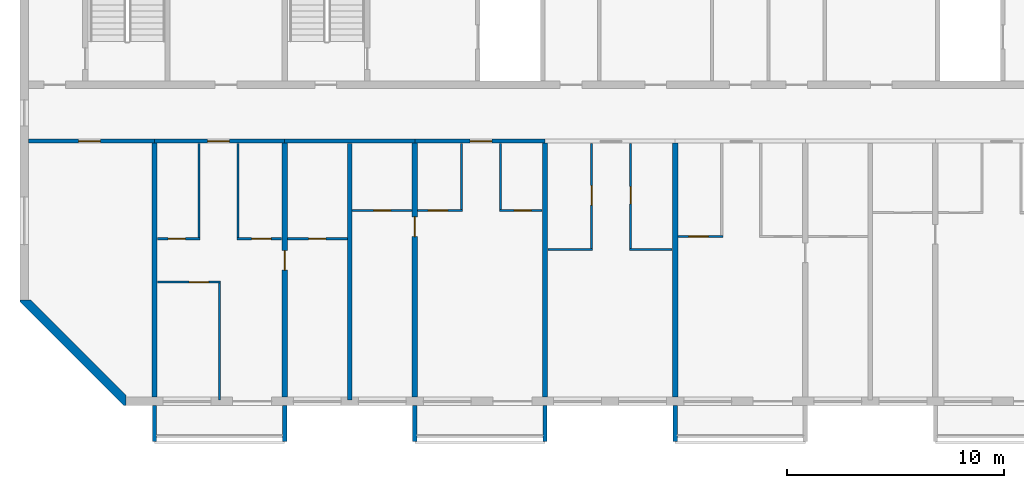
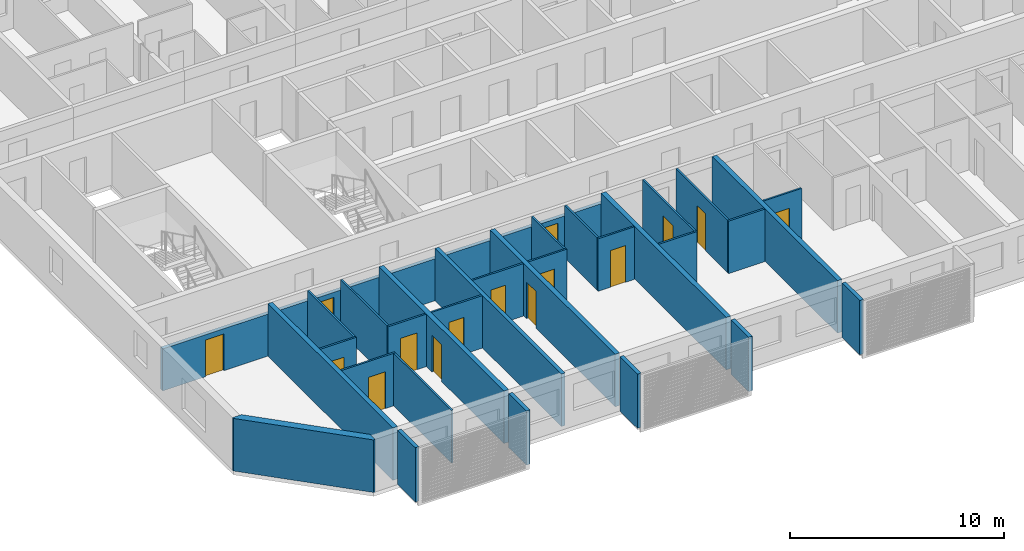
# One storey, part 4 of 20: 33 walls, 15 doors, 15 openings.
"""IFC4 building model written with IfcOpenShell, lengths in metres."""

import ifcopenshell
import ifcopenshell.guid

model = None  # the IFC model being written
_history = None  # IfcOwnerHistory: only IFC2X3 demands one
_inside = {}  # id of a spatial element -> (the spatial element, [elements in it])
_under = {}  # id of a project, library or spatial element -> (it, [spatial elements below it])
_declared = {}  # id of a project -> (the project, [libraries it declares])
_typed = {}  # id of a type object -> (the type object, [elements of that type])
_made_of = {}  # id of a material, layer set ... -> (it, [elements and type objects made of it])


def new_model(schema):
    """Start an empty IFC model of exactly this schema.

    Asked for "IFC4X3", IfcOpenShell would pick the latest addendum, in which some entities
    have other attributes; the version numbers below select the first issue.
    IFC2X3 requires an IfcOwnerHistory on every rooted entity: one is made here for all.
    """
    global model, _history
    if schema == "IFC4X3":
        model = ifcopenshell.file(schema_version=(4, 3, 0, 0))
    else:
        model = ifcopenshell.file(schema=schema)
    _inside.clear()
    _under.clear()
    _declared.clear()
    _typed.clear()
    _made_of.clear()
    _history = None
    if model.schema == "IFC2X3":
        org = make("IfcOrganization", Name="unknown")
        user = make(
            "IfcPersonAndOrganization",
            ThePerson=make("IfcPerson", FamilyName="unknown"),
            TheOrganization=org,
        )
        app = make(
            "IfcApplication",
            ApplicationDeveloper=org,
            Version="unknown",
            ApplicationFullName="unknown",
            ApplicationIdentifier="unknown",
        )
        _history = make(
            "IfcOwnerHistory",
            OwningUser=user,
            OwningApplication=app,
            ChangeAction="ADDED",
            CreationDate=0,
        )
    return model


def make(cls, **values):
    """One entity of the class cls with the attributes given. An attribute that is None is left unset."""
    return model.create_entity(
        cls, **{name: value for name, value in values.items() if value is not None}
    )


def rooted(cls, **values):
    """An entity with a GlobalId (a new one), such as an element, a storey or a relation."""
    return make(cls, GlobalId=ifcopenshell.guid.new(), OwnerHistory=_history, **values)


def si_unit(unit_type, name, prefix=None):
    """IfcSIUnit, for example si_unit("LENGTHUNIT", "METRE", prefix="MILLI")."""
    return make("IfcSIUnit", UnitType=unit_type, Prefix=prefix, Name=name)


def assignment(units):
    """IfcUnitAssignment: the units of a project."""
    return None if units is None else make("IfcUnitAssignment", Units=units)


def point(xyz):
    """IfcCartesianPoint."""
    return None if xyz is None else make("IfcCartesianPoint", Coordinates=xyz)


def direction(xyz):
    """IfcDirection."""
    return None if xyz is None else make("IfcDirection", DirectionRatios=xyz)


def frame(location, z_axis=None, x_axis=None):
    """IfcAxis2Placement3D, a coordinate frame: its origin and axes. An axis left out is left unset."""
    return make(
        "IfcAxis2Placement3D",
        Location=point(location),
        Axis=direction(z_axis),
        RefDirection=direction(x_axis),
    )


def frame_2d(location, x_axis=None):
    """IfcAxis2Placement2D, a coordinate frame in the plane: its origin and x axis."""
    return make(
        "IfcAxis2Placement2D", Location=point(location), RefDirection=direction(x_axis)
    )


def origin():
    """The frame at (0, 0, 0) with its axes left unset."""
    return frame((0.0, 0.0, 0.0))


def place(relative_to, where):
    """IfcLocalPlacement: puts the frame where relative to a parent placement (None: the world)."""
    return make(
        "IfcLocalPlacement", PlacementRelTo=relative_to, RelativePlacement=where
    )


def context(
    kind, dimensions, precision=None, world=None, true_north=None, identifier=None
):
    """IfcGeometricRepresentationContext, for example the 3D "Model" context."""
    return make(
        "IfcGeometricRepresentationContext",
        ContextIdentifier=identifier,
        ContextType=kind,
        CoordinateSpaceDimension=dimensions,
        Precision=precision,
        WorldCoordinateSystem=world,
        TrueNorth=true_north,
    )


def subcontext(parent, identifier, kind, view, scale=None):
    """IfcGeometricRepresentationSubContext, for example "Body" below "Model"."""
    return make(
        "IfcGeometricRepresentationSubContext",
        ContextIdentifier=identifier,
        ContextType=kind,
        ParentContext=parent,
        TargetScale=scale,
        TargetView=view,
    )


def project(units=None, contexts=None):
    """IfcProject with its units and contexts."""
    return rooted(
        "IfcProject",
        Name="project",
        RepresentationContexts=contexts,
        UnitsInContext=assignment(units),
    )


def spatial(cls, under=None, at=None, **own):
    """A site, building, storey or space (cls), placed at a placement, below another one or the project."""
    s = rooted(cls, ObjectPlacement=at, **own)
    if under is not None:
        _under.setdefault(under.id(), (under, []))[1].append(s)
    return s


def polyline(points):
    """IfcPolyline through the points."""
    return make("IfcPolyline", Points=[point(p) for p in points])


def profile(cls, at=None, kind="AREA", **sizes):
    """A parametric profile (cls). Its sizes go by their IFC names, for example OverallWidth=200.0."""
    return make(cls, ProfileType=kind, Position=at, **sizes)


def rectangle(**sizes):
    """IfcRectangleProfileDef."""
    return profile("IfcRectangleProfileDef", **sizes)


def outline(outer, holes=None, kind="AREA"):
    """IfcArbitraryClosedProfileDef: a profile drawn as a closed curve; with holes, ...WithVoids."""
    if holes is None:
        return make("IfcArbitraryClosedProfileDef", ProfileType=kind, OuterCurve=outer)
    return make(
        "IfcArbitraryProfileDefWithVoids",
        ProfileType=kind,
        OuterCurve=outer,
        InnerCurves=holes,
    )


def extrude(swept, where, along, depth):
    """IfcExtrudedAreaSolid: the profile swept, set in the frame where, extruded along a direction by depth."""
    return make(
        "IfcExtrudedAreaSolid",
        SweptArea=swept,
        Position=where,
        ExtrudedDirection=direction(along),
        Depth=depth,
    )


def shape(context_of_items, identifier, shape_type, items):
    """IfcShapeRepresentation: the items that make up one representation, for example the "Body"."""
    return make(
        "IfcShapeRepresentation",
        ContextOfItems=context_of_items,
        RepresentationIdentifier=identifier,
        RepresentationType=shape_type,
        Items=items,
    )


def source(mapping_origin, context_of_items, identifier, shape_type, items):
    """IfcRepresentationMap: a shape defined once, which mapped items show again and again."""
    return make(
        "IfcRepresentationMap",
        MappingOrigin=mapping_origin,
        MappedRepresentation=shape(context_of_items, identifier, shape_type, items),
    )


def transform(
    local_origin,
    x_axis=None,
    y_axis=None,
    z_axis=None,
    scale=None,
    scale2=None,
    scale3=None,
    uniform=True,
):
    """IfcCartesianTransformationOperator3D, or its non-uniform kind. x_axis, y_axis, z_axis: its Axis1, 2, 3."""
    if uniform:
        return make(
            "IfcCartesianTransformationOperator3D",
            Axis1=direction(x_axis),
            Axis2=direction(y_axis),
            LocalOrigin=point(local_origin),
            Scale=scale,
            Axis3=direction(z_axis),
        )
    return make(
        "IfcCartesianTransformationOperator3DnonUniform",
        Axis1=direction(x_axis),
        Axis2=direction(y_axis),
        LocalOrigin=point(local_origin),
        Scale=scale,
        Axis3=direction(z_axis),
        Scale2=scale2,
        Scale3=scale3,
    )


def mapped(mapping_source, mapping_target):
    """IfcMappedItem: shows the shape of a source again, moved by a transform."""
    return make(
        "IfcMappedItem", MappingSource=mapping_source, MappingTarget=mapping_target
    )


def material(Name=None, Category=None):
    """IfcMaterial."""
    return make("IfcMaterial", Name=Name, Category=Category)


def layer(
    of_material, thickness, ventilated=None, Name=None, Category=None, Priority=None
):
    """IfcMaterialLayer: one layer of a wall or slab, of a material (None: an air gap)."""
    return make(
        "IfcMaterialLayer",
        Material=of_material,
        LayerThickness=thickness,
        IsVentilated=ventilated,
        Name=Name,
        Category=Category,
        Priority=Priority,
    )


def layer_set(layers, Name=None):
    """IfcMaterialLayerSet."""
    return make("IfcMaterialLayerSet", MaterialLayers=layers, LayerSetName=Name)


def made_of(thing, what):
    """Note that an element or type object is made of a material, layer set ...; save() writes the relation."""
    if what is not None:
        _made_of.setdefault(what.id(), (what, []))[1].append(thing)
    return thing


def type_object(cls, material=None, **own):
    """A type object (cls), such as IfcWallType, which elements share."""
    return made_of(rooted(cls, **own), material)


def element(
    cls,
    number,
    at=None,
    inside=None,
    cuts=None,
    type_object=None,
    material=None,
    context=None,
    identifier="Body",
    shape_type=None,
    held_by="IfcProductDefinitionShape",
    body=None,
    shapes=None,
    **own,
):
    """One element of the class cls, such as IfcWall. Its Tag is "e" and its number.

    at: its placement. inside: the storey or other place that contains it. cuts: it is an
    opening in that element (IfcRelVoidsElement). A single representation is given by context,
    identifier, shape_type and body (its items); several are given by shapes. held_by: the class
    of the entity that holds the representations. save() writes the other relations.
    """
    e = rooted(cls, Tag="e%d" % number, ObjectPlacement=at, **own)
    if body is not None:
        shapes = [shape(context, identifier, shape_type, body)]
    if shapes is not None:
        e.Representation = make(held_by, Representations=shapes)
    if inside is not None:
        _inside.setdefault(inside.id(), (inside, []))[1].append(e)
    if cuts is not None:
        rooted(
            "IfcRelVoidsElement", RelatingBuildingElement=cuts, RelatedOpeningElement=e
        )
    if type_object is not None:
        _typed.setdefault(type_object.id(), (type_object, []))[1].append(e)
    return made_of(e, material)


def fill(opening, filler):
    """IfcRelFillsElement: the door or window that sits in an opening."""
    return rooted(
        "IfcRelFillsElement",
        RelatingOpeningElement=opening,
        RelatedBuildingElement=filler,
    )


def aggregate(whole, parts):
    """IfcRelAggregates: a whole, such as a stair, and the parts it consists of."""
    return rooted("IfcRelAggregates", RelatingObject=whole, RelatedObjects=parts)


def save(model, path):
    """Write the relations noted so far, then the file.

    IfcRelAggregates (storeys below a building ...), IfcRelContainedInSpatialStructure (elements
    in a storey), IfcRelDefinesByType, IfcRelAssociatesMaterial and IfcRelDeclares: one each for
    every whole, place, type object, material and project.
    """
    for whole, parts in _under.values():
        aggregate(whole, parts)
    for where, things in _inside.values():
        rooted(
            "IfcRelContainedInSpatialStructure",
            RelatedElements=things,
            RelatingStructure=where,
        )
    for kind, things in _typed.values():
        rooted("IfcRelDefinesByType", RelatedObjects=things, RelatingType=kind)
    for what, things in _made_of.values():
        rooted("IfcRelAssociatesMaterial", RelatedObjects=things, RelatingMaterial=what)
    for by, libraries in _declared.values():
        rooted("IfcRelDeclares", RelatingContext=by, RelatedDefinitions=libraries)
    model.write(path)


model = new_model("IFC4")

# Units and contexts
model_context = context("Model", 3, precision=1e-05, world=origin(), true_north=direction((0.0, 1.0)))
body_context = subcontext(model_context, "Body", "Model", "MODEL_VIEW")
ifc_project = project(units=[si_unit("LENGTHUNIT", "METRE"), si_unit("AREAUNIT", "SQUARE_METRE"), si_unit("VOLUMEUNIT", "CUBIC_METRE"), si_unit("PLANEANGLEUNIT", "RADIAN"), si_unit("MASSUNIT", "GRAM", prefix="KILO")], contexts=[model_context])

# Site, building, storey
site_placement = place(None, origin())
site = spatial("IfcSite", under=ifc_project, at=site_placement, CompositionType="ELEMENT")
building_placement = place(site_placement, origin())
building = spatial("IfcBuilding", under=site, at=building_placement, Name="Poui Terraces", CompositionType="ELEMENT")
storey_placement = place(building_placement, frame((0.0, 0.0, 257.699951171875)))
storey = spatial("IfcBuildingStorey", under=building, at=storey_placement, Name="L72", CompositionType="ELEMENT", Elevation=257.699951171875)

# Wall, opening, door
ifc_material_1 = material(Name="Concrete 50 MPa", Category="concrete")
ifc_layer_1 = layer(ifc_material_1, 0.199951171875)
ifc_layer_set_1 = layer_set([ifc_layer_1], Name="Concrete 50 MPa")
wall_type_1 = type_object("IfcWallType", Name="CORRIDOR WALL 200 50MPa", PredefinedType="SHEAR", material=ifc_layer_set_1)
wall_1_placement = place(storey_placement, frame((18.199951171875, 12.0, 0.0), z_axis=(0.0, 0.0, 1.0), x_axis=(1.0, 0.0, 0.0)))
wall_1 = element("IfcWall", 1, at=wall_1_placement, inside=storey, type_object=wall_type_1, Name="CORRIDOR WALL LINE B BAY 1", PredefinedType="SHEAR", context=body_context, shape_type="SweptSolid", body=[
    extrude(rectangle(XDim=5.800048828125, YDim=0.199951171875, at=frame_2d((2.89990234375, 0.0))), origin(), (0.0, 0.0, 1.0), 2.400146484375),
])
opening_1_placement = place(wall_1_placement, frame((2.300048828125, 0.0, 0.0)))
opening_1 = element("IfcOpeningElement", 2, at=opening_1_placement, cuts=wall_1, Name="Opening D100", PredefinedType="OPENING", context=body_context, shape_type="SweptSolid", body=[
    extrude(rectangle(XDim=1.0, YDim=2.10009765625, at=frame_2d((0.5, 1.050048828125))), frame((0.0, 0.10986328125, 0.0), z_axis=(0.0, -1.0, 0.0), x_axis=(1.0, 0.0, 0.0)), (0.0, 0.0, 1.0), 0.219970703125),
])
ifc_material_2 = material(Name="Solid core timber door", Category="wood")
door_type_1 = type_object("IfcDoorType", Name="ACCESSIBLE INTERNAL DOOR 1000 X 2100", OperationType="NOTDEFINED", PredefinedType="DOOR", material=ifc_material_2)
door_1_placement = place(opening_1_placement, frame((1.0, 0.0, 0.0), z_axis=(0.0, 0.0, 1.0), x_axis=(-1.0, 0.0, 0.0)))
door_1 = element("IfcDoor", 3, at=door_1_placement, inside=storey, type_object=door_type_1, Name="ACCESSIBLE INTERNAL DOOR 061", OperationType="SINGLE_SWING_RIGHT", OverallHeight=2.10009765625, OverallWidth=1.0, PredefinedType="DOOR", context=body_context, shape_type="SweptSolid", body=[
    extrude(rectangle(XDim=1.0, YDim=2.10009765625, at=frame_2d((0.5, 1.050048828125))), frame((0.0, 0.02490234375, 0.0), z_axis=(0.0, -1.0, 0.0), x_axis=(1.0, 0.0, 0.0)), (0.0, 0.0, 1.0), 0.050048828125),
])
fill(opening_1, door_1)

wall_2_placement = place(storey_placement, frame((24.0, 12.0, 0.0), z_axis=(0.0, 0.0, 1.0), x_axis=(1.0, 0.0, 0.0)))
wall_2 = element("IfcWall", 4, at=wall_2_placement, inside=storey, type_object=wall_type_1, Name="CORRIDOR WALL LINE B BAY 2", PredefinedType="SHEAR", context=body_context, shape_type="SweptSolid", body=[
    extrude(rectangle(XDim=6.0, YDim=0.199951171875, at=frame_2d((3.0, 0.0))), origin(), (0.0, 0.0, 1.0), 2.400146484375),
])
opening_2_placement = place(wall_2_placement, frame((2.449951171875, 0.0, 0.0)))
opening_2 = element("IfcOpeningElement", 5, at=opening_2_placement, cuts=wall_2, Name="Opening FD30S", PredefinedType="OPENING", context=body_context, shape_type="SweptSolid", body=[
    extrude(rectangle(XDim=1.0, YDim=2.10009765625, at=frame_2d((0.5, 1.050048828125))), frame((0.0, 0.10986328125, 0.0), z_axis=(0.0, -1.0, 0.0), x_axis=(1.0, 0.0, 0.0)), (0.0, 0.0, 1.0), 0.219970703125),
])
ifc_material_3 = material(Name="Steel fire door", Category="steel")
door_type_2 = type_object("IfcDoorType", Name="FLAT ENTRANCE DOOR 1000 X 2100", OperationType="NOTDEFINED", PredefinedType="DOOR", material=ifc_material_3)
door_2_placement = place(opening_2_placement, frame((1.0, 0.0, 0.0), z_axis=(0.0, 0.0, 1.0), x_axis=(-1.0, 0.0, 0.0)))
door_2 = element("IfcDoor", 6, at=door_2_placement, inside=storey, type_object=door_type_2, Name="FLAT ENTRANCE DOOR 065", OperationType="SINGLE_SWING_RIGHT", OverallHeight=2.10009765625, OverallWidth=1.0, PredefinedType="DOOR", context=body_context, shape_type="SweptSolid", body=[
    extrude(rectangle(XDim=1.0, YDim=2.10009765625, at=frame_2d((0.5, 1.050048828125))), frame((0.0, 0.02490234375, 0.0), z_axis=(0.0, -1.0, 0.0), x_axis=(1.0, 0.0, 0.0)), (0.0, 0.0, 1.0), 0.050048828125),
])
fill(opening_2, door_2)

# Wall
wall_3_placement = place(storey_placement, frame((30.0, 12.0, 0.0), z_axis=(0.0, 0.0, 1.0), x_axis=(1.0, 0.0, 0.0)))
element("IfcWall", 7, at=wall_3_placement, inside=storey, type_object=wall_type_1, Name="CORRIDOR WALL LINE B BAY 3", PredefinedType="SHEAR", context=body_context, shape_type="SweptSolid", body=[
    extrude(rectangle(XDim=6.0, YDim=0.199951171875, at=frame_2d((3.0, 0.0))), origin(), (0.0, 0.0, 1.0), 2.400146484375),
])

# Wall, opening, door
wall_4_placement = place(storey_placement, frame((36.0, 12.0, 0.0), z_axis=(0.0, 0.0, 1.0), x_axis=(1.0, 0.0, 0.0)))
wall_4 = element("IfcWall", 8, at=wall_4_placement, inside=storey, type_object=wall_type_1, Name="CORRIDOR WALL LINE B BAY 4", PredefinedType="SHEAR", context=body_context, shape_type="SweptSolid", body=[
    extrude(rectangle(XDim=6.0, YDim=0.199951171875, at=frame_2d((3.0, 0.0))), origin(), (0.0, 0.0, 1.0), 2.400146484375),
])
opening_3_placement = place(wall_4_placement, frame((2.550048828125, 0.0, 0.0)))
opening_3 = element("IfcOpeningElement", 9, at=opening_3_placement, cuts=wall_4, Name="Opening FD30S", PredefinedType="OPENING", context=body_context, shape_type="SweptSolid", body=[
    extrude(rectangle(XDim=1.0, YDim=2.10009765625, at=frame_2d((0.5, 1.050048828125))), frame((0.0, 0.10986328125, 0.0), z_axis=(0.0, -1.0, 0.0), x_axis=(1.0, 0.0, 0.0)), (0.0, 0.0, 1.0), 0.219970703125),
])
door_3_placement = place(opening_3_placement, frame((1.0, 0.0, 0.0), z_axis=(0.0, 0.0, 1.0), x_axis=(-1.0, 0.0, 0.0)))
door_3 = element("IfcDoor", 10, at=door_3_placement, inside=storey, type_object=door_type_2, Name="FLAT ENTRANCE DOOR 071", OperationType="SINGLE_SWING_LEFT", OverallHeight=2.10009765625, OverallWidth=1.0, PredefinedType="DOOR", context=body_context, shape_type="SweptSolid", body=[
    extrude(rectangle(XDim=1.0, YDim=2.10009765625, at=frame_2d((0.5, 1.050048828125))), frame((0.0, 0.02490234375, 0.0), z_axis=(0.0, -1.0, 0.0), x_axis=(1.0, 0.0, 0.0)), (0.0, 0.0, 1.0), 0.050048828125),
])
fill(opening_3, door_3)

# Wall
ifc_layer_2 = layer(ifc_material_1, 0.25)
ifc_layer_set_2 = layer_set([ifc_layer_2], Name="Concrete 50 MPa")
wall_type_2 = type_object("IfcWallType", Name="CROSS WALL 250 50MPa", PredefinedType="SHEAR", material=ifc_layer_set_2)
wall_5_placement = place(storey_placement, frame((24.0, 0.199951171875, 0.0), z_axis=(0.0, 0.0, 1.0), x_axis=(0.0, 1.0, 0.0)))
element("IfcWall", 11, at=wall_5_placement, inside=storey, type_object=wall_type_2, Name="CROSS WALL LINE 5 SOUTH", PredefinedType="SHEAR", context=body_context, shape_type="SweptSolid", body=[
    extrude(rectangle(XDim=11.699951171875, YDim=0.25, at=frame_2d((5.85009765625, 0.0))), origin(), (0.0, 0.0, 1.0), 3.0),
])

# Wall, opening, door
wall_6_placement = place(storey_placement, frame((30.0, 0.199951171875, 0.0), z_axis=(0.0, 0.0, 1.0), x_axis=(0.0, 1.0, 0.0)))
wall_6 = element("IfcWall", 12, at=wall_6_placement, inside=storey, type_object=wall_type_2, Name="CROSS WALL LINE 6 SOUTH", PredefinedType="SHEAR", context=body_context, shape_type="SweptSolid", body=[
    extrude(rectangle(XDim=11.699951171875, YDim=0.25, at=frame_2d((5.85009765625, 0.0))), origin(), (0.0, 0.0, 1.0), 3.0),
])
opening_4_placement = place(wall_6_placement, frame((5.85009765625, 0.0, 0.0)))
opening_4 = element("IfcOpeningElement", 13, at=opening_4_placement, cuts=wall_6, Name="Opening D90", PredefinedType="OPENING", context=body_context, shape_type="SweptSolid", body=[
    extrude(rectangle(XDim=0.89990234375, YDim=2.10009765625, at=frame_2d((0.449951171875, 1.050048828125))), frame((0.0, 0.135009765625, 0.0), z_axis=(0.0, -1.0, 0.0), x_axis=(1.0, 0.0, 0.0)), (0.0, 0.0, 1.0), 0.27001953125),
])
door_type_3 = type_object("IfcDoorType", Name="INTERNAL DOOR 900 X 2100", OperationType="NOTDEFINED", PredefinedType="DOOR", material=ifc_material_2)
door_4_placement = place(opening_4_placement, frame((0.89990234375, 0.0, 0.0), z_axis=(0.0, 0.0, 1.0), x_axis=(-1.0, 0.0, 0.0)))
door_4 = element("IfcDoor", 14, at=door_4_placement, inside=storey, type_object=door_type_3, Name="INTERNAL DOOR 067", OperationType="SINGLE_SWING_LEFT", OverallHeight=2.10009765625, OverallWidth=0.89990234375, PredefinedType="DOOR", context=body_context, shape_type="SweptSolid", body=[
    extrude(rectangle(XDim=0.89990234375, YDim=2.10009765625, at=frame_2d((0.449951171875, 1.050048828125))), frame((0.0, 0.02490234375, 0.0), z_axis=(0.0, -1.0, 0.0), x_axis=(1.0, 0.0, 0.0)), (0.0, 0.0, 1.0), 0.050048828125),
])
fill(opening_4, door_4)

wall_7_placement = place(storey_placement, frame((36.0, 0.199951171875, 0.0), z_axis=(0.0, 0.0, 1.0), x_axis=(0.0, 1.0, 0.0)))
wall_7 = element("IfcWall", 15, at=wall_7_placement, inside=storey, type_object=wall_type_2, Name="CROSS WALL LINE 7 SOUTH", PredefinedType="SHEAR", context=body_context, shape_type="SweptSolid", body=[
    extrude(rectangle(XDim=11.699951171875, YDim=0.25, at=frame_2d((5.85009765625, 0.0))), origin(), (0.0, 0.0, 1.0), 3.0),
])
opening_5_placement = place(wall_7_placement, frame((7.39990234375, 0.0, 0.0)))
opening_5 = element("IfcOpeningElement", 16, at=opening_5_placement, cuts=wall_7, Name="Opening D90", PredefinedType="OPENING", context=body_context, shape_type="SweptSolid", body=[
    extrude(rectangle(XDim=0.89990234375, YDim=2.10009765625, at=frame_2d((0.449951171875, 1.050048828125))), frame((0.0, 0.135009765625, 0.0), z_axis=(0.0, -1.0, 0.0), x_axis=(1.0, 0.0, 0.0)), (0.0, 0.0, 1.0), 0.27001953125),
])
door_5_placement = place(opening_5_placement, origin())
door_5 = element("IfcDoor", 17, at=door_5_placement, inside=storey, type_object=door_type_3, Name="INTERNAL DOOR 069", OperationType="SINGLE_SWING_RIGHT", OverallHeight=2.10009765625, OverallWidth=0.89990234375, PredefinedType="DOOR", context=body_context, shape_type="SweptSolid", body=[
    extrude(rectangle(XDim=0.89990234375, YDim=2.10009765625, at=frame_2d((0.449951171875, 1.050048828125))), frame((0.0, 0.02490234375, 0.0), z_axis=(0.0, -1.0, 0.0), x_axis=(1.0, 0.0, 0.0)), (0.0, 0.0, 1.0), 0.050048828125),
])
fill(opening_5, door_5)

# Walls
for number, where, z_axis, x_axis, name in (
    (18, (42.0, 0.199951171875, 0.0), (0.0, 0.0, 1.0), (0.0, 1.0, 0.0), "CROSS WALL LINE 8 SOUTH"),
    (19, (48.0, 0.199951171875, 0.0), (0.0, 0.0, 1.0), (0.0, 1.0, 0.0), "CROSS WALL LINE 9 SOUTH"),
):
    element("IfcWall", number, at=place(storey_placement, frame(where, z_axis=z_axis, x_axis=x_axis)), inside=storey, type_object=wall_type_2, Name=name, PredefinedType="SHEAR", context=body_context, shape_type="SweptSolid", body=[
        extrude(rectangle(XDim=11.699951171875, YDim=0.25, at=frame_2d((5.85009765625, 0.0))), origin(), (0.0, 0.0, 1.0), 3.0),
    ])

# Wall, opening, door
ifc_material_4 = material(Name="Plasterboard partition")
ifc_layer_3 = layer(ifc_material_4, 0.10009765625)
ifc_layer_set_3 = layer_set([ifc_layer_3], Name="Plasterboard partition")
wall_type_3 = type_object("IfcWallType", Name="FLAT PARTITION 100", PredefinedType="PARTITIONING", material=ifc_layer_set_3)
wall_8_placement = place(storey_placement, frame((24.135009765625, 5.5, 0.0), z_axis=(0.0, 0.0, 1.0), x_axis=(1.0, 0.0, 0.0)))
wall_8 = element("IfcWall", 20, at=wall_8_placement, inside=storey, type_object=wall_type_3, Name="FLAT PARTITION 100", PredefinedType="PARTITIONING", context=body_context, shape_type="SweptSolid", body=[
    extrude(rectangle(XDim=2.9150390625, YDim=0.10009765625, at=frame_2d((1.45751953125, 0.0))), origin(), (0.0, 0.0, 1.0), 3.0),
])
opening_6_placement = place(wall_8_placement, frame((1.465087890625, 0.0, 0.0)))
opening_6 = element("IfcOpeningElement", 21, at=opening_6_placement, cuts=wall_8, Name="Opening D90", PredefinedType="OPENING", context=body_context, shape_type="SweptSolid", body=[
    extrude(rectangle(XDim=0.89990234375, YDim=2.10009765625, at=frame_2d((0.449951171875, 1.050048828125))), frame((0.0, 0.06005859375, 0.0), z_axis=(0.0, -1.0, 0.0), x_axis=(1.0, 0.0, 0.0)), (0.0, 0.0, 1.0), 0.1201171875),
])
door_6_placement = place(opening_6_placement, frame((0.89990234375, 0.0, 0.0), z_axis=(0.0, 0.0, 1.0), x_axis=(-1.0, 0.0, 0.0)))
door_6 = element("IfcDoor", 22, at=door_6_placement, inside=storey, type_object=door_type_3, Name="INTERNAL DOOR 064", OperationType="SINGLE_SWING_LEFT", OverallHeight=2.10009765625, OverallWidth=0.89990234375, PredefinedType="DOOR", context=body_context, shape_type="SweptSolid", body=[
    extrude(rectangle(XDim=0.89990234375, YDim=2.10009765625, at=frame_2d((0.449951171875, 1.050048828125))), frame((0.0, 0.02490234375, 0.0), z_axis=(0.0, -1.0, 0.0), x_axis=(1.0, 0.0, 0.0)), (0.0, 0.0, 1.0), 0.050048828125),
])
fill(opening_6, door_6)

# Walls
wall_9_placement = place(storey_placement, frame((42.135009765625, 7.0, 0.0), z_axis=(0.0, 0.0, 1.0), x_axis=(1.0, 0.0, 0.0)))
element("IfcWall", 23, at=wall_9_placement, inside=storey, type_object=wall_type_3, Name="FLAT PARTITION 100", PredefinedType="PARTITIONING", context=body_context, shape_type="SweptSolid", body=[
    extrude(rectangle(XDim=2.06494140625, YDim=0.10009765625, at=frame_2d((1.032470703125, 0.0))), origin(), (0.0, 0.0, 1.0), 3.0),
])
wall_10_placement = place(storey_placement, frame((45.89990234375, 7.0, 0.0), z_axis=(0.0, 0.0, 1.0), x_axis=(1.0, 0.0, 0.0)))
element("IfcWall", 24, at=wall_10_placement, inside=storey, type_object=wall_type_3, Name="FLAT PARTITION 100", PredefinedType="PARTITIONING", context=body_context, shape_type="SweptSolid", body=[
    extrude(rectangle(XDim=1.965087890625, YDim=0.10009765625, at=frame_2d((0.982421875, 0.0))), origin(), (0.0, 0.0, 1.0), 3.0),
])

# Wall, opening, door
wall_11_placement = place(storey_placement, frame((24.135009765625, 7.5, 0.0), z_axis=(0.0, 0.0, 1.0), x_axis=(1.0, 0.0, 0.0)))
wall_11 = element("IfcWall", 25, at=wall_11_placement, inside=storey, type_object=wall_type_3, Name="FLAT PARTITION 100", PredefinedType="PARTITIONING", context=body_context, shape_type="SweptSolid", body=[
    extrude(rectangle(XDim=1.965087890625, YDim=0.10009765625, at=frame_2d((0.982421875, 0.0))), origin(), (0.0, 0.0, 1.0), 3.0),
])
opening_7_placement = place(wall_11_placement, frame((0.489990234375, 0.0, 0.0)))
opening_7 = element("IfcOpeningElement", 26, at=opening_7_placement, cuts=wall_11, Name="Opening D80", PredefinedType="OPENING", context=body_context, shape_type="SweptSolid", body=[
    extrude(rectangle(XDim=0.800048828125, YDim=2.10009765625, at=frame_2d((0.39990234375, 1.050048828125))), frame((0.0, 0.06005859375, 0.0), z_axis=(0.0, -1.0, 0.0), x_axis=(1.0, 0.0, 0.0)), (0.0, 0.0, 1.0), 0.1201171875),
])
door_type_4 = type_object("IfcDoorType", Name="BATHROOM, LAUNDRY AND STORE DOOR 800 X 2100", OperationType="NOTDEFINED", PredefinedType="DOOR", material=ifc_material_2)
door_7_placement = place(opening_7_placement, origin())
door_7 = element("IfcDoor", 27, at=door_7_placement, inside=storey, type_object=door_type_4, Name="BATHROOM, LAUNDRY AND STORE DOOR 063", OperationType="SINGLE_SWING_RIGHT", OverallHeight=2.10009765625, OverallWidth=0.800048828125, PredefinedType="DOOR", context=body_context, shape_type="SweptSolid", body=[
    extrude(rectangle(XDim=0.800048828125, YDim=2.10009765625, at=frame_2d((0.39990234375, 1.050048828125))), frame((0.0, 0.02490234375, 0.0), z_axis=(0.0, -1.0, 0.0), x_axis=(1.0, 0.0, 0.0)), (0.0, 0.0, 1.0), 0.050048828125),
])
fill(opening_7, door_7)

wall_12_placement = place(storey_placement, frame((27.800048828125, 7.5, 0.0), z_axis=(0.0, 0.0, 1.0), x_axis=(1.0, 0.0, 0.0)))
wall_12 = element("IfcWall", 28, at=wall_12_placement, inside=storey, type_object=wall_type_3, Name="FLAT PARTITION 100", PredefinedType="PARTITIONING", context=body_context, shape_type="SweptSolid", body=[
    extrude(rectangle(XDim=2.06494140625, YDim=0.10009765625, at=frame_2d((1.032470703125, 0.0))), origin(), (0.0, 0.0, 1.0), 3.0),
])
opening_8_placement = place(wall_12_placement, frame((0.675048828125, 0.0, 0.0)))
opening_8 = element("IfcOpeningElement", 29, at=opening_8_placement, cuts=wall_12, Name="Opening D90", PredefinedType="OPENING", context=body_context, shape_type="SweptSolid", body=[
    extrude(rectangle(XDim=0.89990234375, YDim=2.10009765625, at=frame_2d((0.449951171875, 1.050048828125))), frame((0.0, 0.06005859375, 0.0), z_axis=(0.0, -1.0, 0.0), x_axis=(1.0, 0.0, 0.0)), (0.0, 0.0, 1.0), 0.1201171875),
])
door_8_placement = place(opening_8_placement, origin())
door_8 = element("IfcDoor", 30, at=door_8_placement, inside=storey, type_object=door_type_3, Name="INTERNAL DOOR 066", OperationType="SINGLE_SWING_LEFT", OverallHeight=2.10009765625, OverallWidth=0.89990234375, PredefinedType="DOOR", context=body_context, shape_type="SweptSolid", body=[
    extrude(rectangle(XDim=0.89990234375, YDim=2.10009765625, at=frame_2d((0.449951171875, 1.050048828125))), frame((0.0, 0.02490234375, 0.0), z_axis=(0.0, -1.0, 0.0), x_axis=(1.0, 0.0, 0.0)), (0.0, 0.0, 1.0), 0.050048828125),
])
fill(opening_8, door_8)

wall_13_placement = place(storey_placement, frame((30.135009765625, 7.5, 0.0), z_axis=(0.0, 0.0, 1.0), x_axis=(1.0, 0.0, 0.0)))
wall_13 = element("IfcWall", 31, at=wall_13_placement, inside=storey, type_object=wall_type_3, Name="FLAT PARTITION 100", PredefinedType="PARTITIONING", context=body_context, shape_type="SweptSolid", body=[
    extrude(rectangle(XDim=2.764892578125, YDim=0.10009765625, at=frame_2d((1.38232421875, 0.0))), origin(), (0.0, 0.0, 1.0), 3.0),
])
opening_9_placement = place(wall_13_placement, frame((0.965087890625, 0.0, 0.0)))
opening_9 = element("IfcOpeningElement", 32, at=opening_9_placement, cuts=wall_13, Name="Opening D80", PredefinedType="OPENING", context=body_context, shape_type="SweptSolid", body=[
    extrude(rectangle(XDim=0.800048828125, YDim=2.10009765625, at=frame_2d((0.39990234375, 1.050048828125))), frame((0.0, 0.06005859375, 0.0), z_axis=(0.0, -1.0, 0.0), x_axis=(1.0, 0.0, 0.0)), (0.0, 0.0, 1.0), 0.1201171875),
])
door_9_placement = place(opening_9_placement, origin())
door_9 = element("IfcDoor", 33, at=door_9_placement, inside=storey, type_object=door_type_4, Name="BATHROOM, LAUNDRY AND STORE DOOR 062", OperationType="SINGLE_SWING_RIGHT", OverallHeight=2.10009765625, OverallWidth=0.800048828125, PredefinedType="DOOR", context=body_context, shape_type="SweptSolid", body=[
    extrude(rectangle(XDim=0.800048828125, YDim=2.10009765625, at=frame_2d((0.39990234375, 1.050048828125))), frame((0.0, 0.02490234375, 0.0), z_axis=(0.0, -1.0, 0.0), x_axis=(1.0, 0.0, 0.0)), (0.0, 0.0, 1.0), 0.050048828125),
])
fill(opening_9, door_9)

wall_14_placement = place(storey_placement, frame((48.135009765625, 7.60009765625, 0.0), z_axis=(0.0, 0.0, 1.0), x_axis=(1.0, 0.0, 0.0)))
wall_14 = element("IfcWall", 34, at=wall_14_placement, inside=storey, type_object=wall_type_3, Name="FLAT PARTITION 100", PredefinedType="PARTITIONING", context=body_context, shape_type="SweptSolid", body=[
    extrude(rectangle(XDim=2.06494140625, YDim=0.10009765625, at=frame_2d((1.032470703125, 0.0))), origin(), (0.0, 0.0, 1.0), 3.0),
])
opening_10_placement = place(wall_14_placement, frame((0.489990234375, 0.0, 0.0)))
opening_10 = element("IfcOpeningElement", 35, at=opening_10_placement, cuts=wall_14, Name="Opening D90", PredefinedType="OPENING", context=body_context, shape_type="SweptSolid", body=[
    extrude(rectangle(XDim=0.89990234375, YDim=2.10009765625, at=frame_2d((0.449951171875, 1.050048828125))), frame((0.0, 0.06005859375, 0.0), z_axis=(0.0, -1.0, 0.0), x_axis=(1.0, 0.0, 0.0)), (0.0, 0.0, 1.0), 0.1201171875),
])
door_10_placement = place(opening_10_placement, origin())
door_10 = element("IfcDoor", 36, at=door_10_placement, inside=storey, type_object=door_type_3, Name="INTERNAL DOOR 077", OperationType="SINGLE_SWING_RIGHT", OverallHeight=2.10009765625, OverallWidth=0.89990234375, PredefinedType="DOOR", context=body_context, shape_type="SweptSolid", body=[
    extrude(rectangle(XDim=0.89990234375, YDim=2.10009765625, at=frame_2d((0.449951171875, 1.050048828125))), frame((0.0, 0.02490234375, 0.0), z_axis=(0.0, -1.0, 0.0), x_axis=(1.0, 0.0, 0.0)), (0.0, 0.0, 1.0), 0.050048828125),
])
fill(opening_10, door_10)

wall_15_placement = place(storey_placement, frame((33.10009765625, 8.800048828125, 0.0), z_axis=(0.0, 0.0, 1.0), x_axis=(1.0, 0.0, 0.0)))
wall_15 = element("IfcWall", 37, at=wall_15_placement, inside=storey, type_object=wall_type_3, Name="FLAT PARTITION 100", PredefinedType="PARTITIONING", context=body_context, shape_type="SweptSolid", body=[
    extrude(rectangle(XDim=2.764892578125, YDim=0.10009765625, at=frame_2d((1.38232421875, 0.0))), origin(), (0.0, 0.0, 1.0), 3.0),
])
opening_11_placement = place(wall_15_placement, frame((1.0, 0.0, 0.0)))
opening_11 = element("IfcOpeningElement", 38, at=opening_11_placement, cuts=wall_15, Name="Opening D80", PredefinedType="OPENING", context=body_context, shape_type="SweptSolid", body=[
    extrude(rectangle(XDim=0.800048828125, YDim=2.10009765625, at=frame_2d((0.39990234375, 1.050048828125))), frame((0.0, 0.06005859375, 0.0), z_axis=(0.0, -1.0, 0.0), x_axis=(1.0, 0.0, 0.0)), (0.0, 0.0, 1.0), 0.1201171875),
])
door_11_placement = place(opening_11_placement, origin())
door_11 = element("IfcDoor", 39, at=door_11_placement, inside=storey, type_object=door_type_4, Name="BATHROOM, LAUNDRY AND STORE DOOR 068", OperationType="SINGLE_SWING_LEFT", OverallHeight=2.10009765625, OverallWidth=0.800048828125, PredefinedType="DOOR", context=body_context, shape_type="SweptSolid", body=[
    extrude(rectangle(XDim=0.800048828125, YDim=2.10009765625, at=frame_2d((0.39990234375, 1.050048828125))), frame((0.0, 0.02490234375, 0.0), z_axis=(0.0, -1.0, 0.0), x_axis=(1.0, 0.0, 0.0)), (0.0, 0.0, 1.0), 0.050048828125),
])
fill(opening_11, door_11)

wall_16_placement = place(storey_placement, frame((36.135009765625, 8.800048828125, 0.0), z_axis=(0.0, 0.0, 1.0), x_axis=(1.0, 0.0, 0.0)))
wall_16 = element("IfcWall", 40, at=wall_16_placement, inside=storey, type_object=wall_type_3, Name="FLAT PARTITION 100", PredefinedType="PARTITIONING", context=body_context, shape_type="SweptSolid", body=[
    extrude(rectangle(XDim=2.06494140625, YDim=0.10009765625, at=frame_2d((1.032470703125, 0.0))), origin(), (0.0, 0.0, 1.0), 3.0),
])
opening_12_placement = place(wall_16_placement, frame((0.489990234375, 0.0, 0.0)))
opening_12 = element("IfcOpeningElement", 41, at=opening_12_placement, cuts=wall_16, Name="Opening D90", PredefinedType="OPENING", context=body_context, shape_type="SweptSolid", body=[
    extrude(rectangle(XDim=0.89990234375, YDim=2.10009765625, at=frame_2d((0.449951171875, 1.050048828125))), frame((0.0, 0.06005859375, 0.0), z_axis=(0.0, -1.0, 0.0), x_axis=(1.0, 0.0, 0.0)), (0.0, 0.0, 1.0), 0.1201171875),
])
door_12_placement = place(opening_12_placement, origin())
door_12 = element("IfcDoor", 42, at=door_12_placement, inside=storey, type_object=door_type_3, Name="INTERNAL DOOR 070", OperationType="SINGLE_SWING_RIGHT", OverallHeight=2.10009765625, OverallWidth=0.89990234375, PredefinedType="DOOR", context=body_context, shape_type="SweptSolid", body=[
    extrude(rectangle(XDim=0.89990234375, YDim=2.10009765625, at=frame_2d((0.449951171875, 1.050048828125))), frame((0.0, 0.02490234375, 0.0), z_axis=(0.0, -1.0, 0.0), x_axis=(1.0, 0.0, 0.0)), (0.0, 0.0, 1.0), 0.050048828125),
])
fill(opening_12, door_12)

wall_17_placement = place(storey_placement, frame((39.89990234375, 8.800048828125, 0.0), z_axis=(0.0, 0.0, 1.0), x_axis=(1.0, 0.0, 0.0)))
wall_17 = element("IfcWall", 43, at=wall_17_placement, inside=storey, type_object=wall_type_3, Name="FLAT PARTITION 100", PredefinedType="PARTITIONING", context=body_context, shape_type="SweptSolid", body=[
    extrude(rectangle(XDim=1.965087890625, YDim=0.10009765625, at=frame_2d((0.982421875, 0.0))), origin(), (0.0, 0.0, 1.0), 3.0),
])
opening_13_placement = place(wall_17_placement, frame((0.675048828125, 0.0, 0.0)))
opening_13 = element("IfcOpeningElement", 44, at=opening_13_placement, cuts=wall_17, Name="Opening D80", PredefinedType="OPENING", context=body_context, shape_type="SweptSolid", body=[
    extrude(rectangle(XDim=0.800048828125, YDim=2.10009765625, at=frame_2d((0.39990234375, 1.050048828125))), frame((0.0, 0.06005859375, 0.0), z_axis=(0.0, -1.0, 0.0), x_axis=(1.0, 0.0, 0.0)), (0.0, 0.0, 1.0), 0.1201171875),
])
door_13_placement = place(opening_13_placement, origin())
door_13 = element("IfcDoor", 45, at=door_13_placement, inside=storey, type_object=door_type_4, Name="BATHROOM, LAUNDRY AND STORE DOOR 072", OperationType="SINGLE_SWING_LEFT", OverallHeight=2.10009765625, OverallWidth=0.800048828125, PredefinedType="DOOR", context=body_context, shape_type="SweptSolid", body=[
    extrude(rectangle(XDim=0.800048828125, YDim=2.10009765625, at=frame_2d((0.39990234375, 1.050048828125))), frame((0.0, 0.02490234375, 0.0), z_axis=(0.0, -1.0, 0.0), x_axis=(1.0, 0.0, 0.0)), (0.0, 0.0, 1.0), 0.050048828125),
])
fill(opening_13, door_13)

# Walls
wall_18_placement = place(storey_placement, frame((26.050048828125, 7.550048828125, 0.0), z_axis=(0.0, 0.0, 1.0), x_axis=(0.0, 1.0, 0.0)))
element("IfcWall", 46, at=wall_18_placement, inside=storey, type_object=wall_type_3, Name="FLAT PARTITION 100", PredefinedType="PARTITIONING", context=body_context, shape_type="SweptSolid", body=[
    extrude(rectangle(XDim=4.33984375, YDim=0.10009765625, at=frame_2d((2.169921875, 0.0))), origin(), (0.0, 0.0, 1.0), 3.0),
])
wall_19_placement = place(storey_placement, frame((27.0, 0.06005859375, 0.0), z_axis=(0.0, 0.0, 1.0), x_axis=(0.0, 1.0, 0.0)))
element("IfcWall", 47, at=wall_19_placement, inside=storey, type_object=wall_type_3, Name="FLAT PARTITION 100", PredefinedType="PARTITIONING", context=body_context, shape_type="SweptSolid", body=[
    extrude(rectangle(XDim=5.389892578125, YDim=0.10009765625, at=frame_2d((2.69482421875, 0.0))), origin(), (0.0, 0.0, 1.0), 3.0),
])
wall_20_placement = place(storey_placement, frame((27.85009765625, 7.550048828125, 0.0), z_axis=(0.0, 0.0, 1.0), x_axis=(0.0, 1.0, 0.0)))
element("IfcWall", 48, at=wall_20_placement, inside=storey, type_object=wall_type_3, Name="FLAT PARTITION 100", PredefinedType="PARTITIONING", context=body_context, shape_type="SweptSolid", body=[
    extrude(rectangle(XDim=4.33984375, YDim=0.10009765625, at=frame_2d((2.169921875, 0.0))), origin(), (0.0, 0.0, 1.0), 3.0),
])
for number, where, z_axis, x_axis, name in (
    (49, (38.14990234375, 8.85009765625, 0.0), (0.0, 0.0, 1.0), (0.0, 1.0, 0.0), "FLAT PARTITION 100"),
    (50, (39.949951171875, 8.85009765625, 0.0), (0.0, 0.0, 1.0), (0.0, 1.0, 0.0), "FLAT PARTITION 100"),
):
    element("IfcWall", number, at=place(storey_placement, frame(where, z_axis=z_axis, x_axis=x_axis)), inside=storey, type_object=wall_type_3, Name=name, PredefinedType="PARTITIONING", context=body_context, shape_type="SweptSolid", body=[
        extrude(rectangle(XDim=3.039794921875, YDim=0.10009765625, at=frame_2d((1.52001953125, 0.0))), origin(), (0.0, 0.0, 1.0), 3.0),
    ])

# Wall, opening, door
wall_21_placement = place(storey_placement, frame((44.14990234375, 7.050048828125, 0.0), z_axis=(0.0, 0.0, 1.0), x_axis=(0.0, 1.0, 0.0)))
wall_21 = element("IfcWall", 51, at=wall_21_placement, inside=storey, type_object=wall_type_3, Name="FLAT PARTITION 100", PredefinedType="PARTITIONING", context=body_context, shape_type="SweptSolid", body=[
    extrude(rectangle(XDim=4.83984375, YDim=0.10009765625, at=frame_2d((2.419921875, 0.0))), origin(), (0.0, 0.0, 1.0), 3.0),
])
opening_14_placement = place(wall_21_placement, frame((2.0, 0.0, 0.0)))
opening_14 = element("IfcOpeningElement", 52, at=opening_14_placement, cuts=wall_21, Name="Opening D90", PredefinedType="OPENING", context=body_context, shape_type="SweptSolid", body=[
    extrude(rectangle(XDim=0.89990234375, YDim=2.10009765625, at=frame_2d((0.449951171875, 1.050048828125))), frame((0.0, 0.06005859375, 0.0), z_axis=(0.0, -1.0, 0.0), x_axis=(1.0, 0.0, 0.0)), (0.0, 0.0, 1.0), 0.1201171875),
])
door_14_placement = place(opening_14_placement, origin())
door_14 = element("IfcDoor", 53, at=door_14_placement, inside=storey, type_object=door_type_3, Name="INTERNAL DOOR 073", OperationType="SINGLE_SWING_LEFT", OverallHeight=2.10009765625, OverallWidth=0.89990234375, PredefinedType="DOOR", context=body_context, shape_type="SweptSolid", body=[
    extrude(rectangle(XDim=0.89990234375, YDim=2.10009765625, at=frame_2d((0.449951171875, 1.050048828125))), frame((0.0, 0.02490234375, 0.0), z_axis=(0.0, -1.0, 0.0), x_axis=(1.0, 0.0, 0.0)), (0.0, 0.0, 1.0), 0.050048828125),
])
fill(opening_14, door_14)

wall_22_placement = place(storey_placement, frame((45.949951171875, 7.050048828125, 0.0), z_axis=(0.0, 0.0, 1.0), x_axis=(0.0, 1.0, 0.0)))
wall_22 = element("IfcWall", 54, at=wall_22_placement, inside=storey, type_object=wall_type_3, Name="FLAT PARTITION 100", PredefinedType="PARTITIONING", context=body_context, shape_type="SweptSolid", body=[
    extrude(rectangle(XDim=4.83984375, YDim=0.10009765625, at=frame_2d((2.419921875, 0.0))), origin(), (0.0, 0.0, 1.0), 3.0),
])
opening_15_placement = place(wall_22_placement, frame((2.050048828125, 0.0, 0.0)))
opening_15 = element("IfcOpeningElement", 55, at=opening_15_placement, cuts=wall_22, Name="Opening D80", PredefinedType="OPENING", context=body_context, shape_type="SweptSolid", body=[
    extrude(rectangle(XDim=0.800048828125, YDim=2.10009765625, at=frame_2d((0.39990234375, 1.050048828125))), frame((0.0, 0.06005859375, 0.0), z_axis=(0.0, -1.0, 0.0), x_axis=(1.0, 0.0, 0.0)), (0.0, 0.0, 1.0), 0.1201171875),
])
door_15_placement = place(opening_15_placement, frame((0.800048828125, 0.0, 0.0), z_axis=(0.0, 0.0, 1.0), x_axis=(-1.0, 0.0, 0.0)))
door_15 = element("IfcDoor", 56, at=door_15_placement, inside=storey, type_object=door_type_4, Name="BATHROOM, LAUNDRY AND STORE DOOR 075", OperationType="SINGLE_SWING_LEFT", OverallHeight=2.10009765625, OverallWidth=0.800048828125, PredefinedType="DOOR", context=body_context, shape_type="SweptSolid", body=[
    extrude(rectangle(XDim=0.800048828125, YDim=2.10009765625, at=frame_2d((0.39990234375, 1.050048828125))), frame((0.0, 0.02490234375, 0.0), z_axis=(0.0, -1.0, 0.0), x_axis=(1.0, 0.0, 0.0)), (0.0, 0.0, 1.0), 0.050048828125),
])
fill(opening_15, door_15)

# Walls
ifc_material_5 = material(Name="Fire-rated masonry wall", Category="masonry")
ifc_layer_4 = layer(ifc_material_5, 0.199951171875)
ifc_layer_set_4 = layer_set([ifc_layer_4], Name="Fire-rated masonry wall")
wall_type_4 = type_object("IfcWallType", Name="FLAT PARTY WALL 200", PredefinedType="PARTITIONING", material=ifc_layer_set_4)
wall_23_placement = place(storey_placement, frame((33.0, 0.06005859375, 0.0), z_axis=(0.0, 0.0, 1.0), x_axis=(0.0, 1.0, 0.0)))
element("IfcWall", 57, at=wall_23_placement, inside=storey, type_object=wall_type_4, Name="FLAT PARTY WALL 200", PredefinedType="PARTITIONING", context=body_context, shape_type="SweptSolid", body=[
    extrude(rectangle(XDim=11.829833984375, YDim=0.199951171875, at=frame_2d((5.9150390625, 0.0))), origin(), (0.0, 0.0, 1.0), 3.0),
])
ifc_material_6 = material(Name="Precast concrete 40 MPa", Category="concrete")
ifc_layer_5 = layer(ifc_material_6, 0.39990234375)
ifc_layer_set_5 = layer_set([ifc_layer_5], Name="Precast concrete 40 MPa")
wall_type_5 = type_object("IfcWallType", Name="TERRACOTTA CLAD CHAMFER WALL 400", PredefinedType="STANDARD", material=ifc_layer_set_5)
wall_24_placement = place(storey_placement, origin())
element("IfcWall", 58, at=wall_24_placement, inside=storey, type_object=wall_type_5, Name="CHAMFER WALL CH07", PredefinedType="STANDARD", context=body_context, shape_type="SweptSolid", body=[
    extrude(outline(polyline([(17.800048828125, 4.682861328125), (17.800048828125, 4.60009765625), (22.60009765625, -0.199951171875), (22.682861328125, -0.199951171875), (22.682861328125, 0.28271484375), (18.28271484375, 4.682861328125), (17.800048828125, 4.682861328125)])), origin(), (0.0, 0.0, 1.0), 3.0),
])
ifc_layer_6 = layer(ifc_material_6, 0.199951171875)
ifc_layer_set_6 = layer_set([ifc_layer_6], Name="Precast concrete 40 MPa")
wall_type_6 = type_object("IfcWallType", Name="REAR FIN 200", PredefinedType="STANDARD", material=ifc_layer_set_6)
shared_shape = source(origin(), body_context, "Body", "SweptSolid", [
    extrude(outline(polyline([(0.0, 0.0), (0.2001953125, 0.0), (0.2001953125, 1.650146484375), (0.0, 1.650146484375), (0.0, 0.0)])), origin(), (0.0, 0.0, 1.0), 3.10009765625),
])
for number, where, name in (
    (59, (23.89990234375, -1.85009765625, 0.0), "REAR FIN"),
    (60, (29.89990234375, -1.85009765625, 0.0), "REAR FIN"),
    (61, (35.89990234375, -1.85009765625, 0.0), "REAR FIN"),
    (62, (41.89990234375, -1.85009765625, 0.0), "REAR FIN"),
    (63, (47.89990234375, -1.85009765625, 0.0), "REAR FIN"),
):
    element("IfcWall", number, at=place(storey_placement, frame(where)), inside=storey, type_object=wall_type_6, Name=name, PredefinedType="STANDARD", context=body_context, shape_type="MappedRepresentation", body=[
        mapped(shared_shape, transform((0.0, 0.0, 0.0))),
    ])

save(model, "model.ifc")
